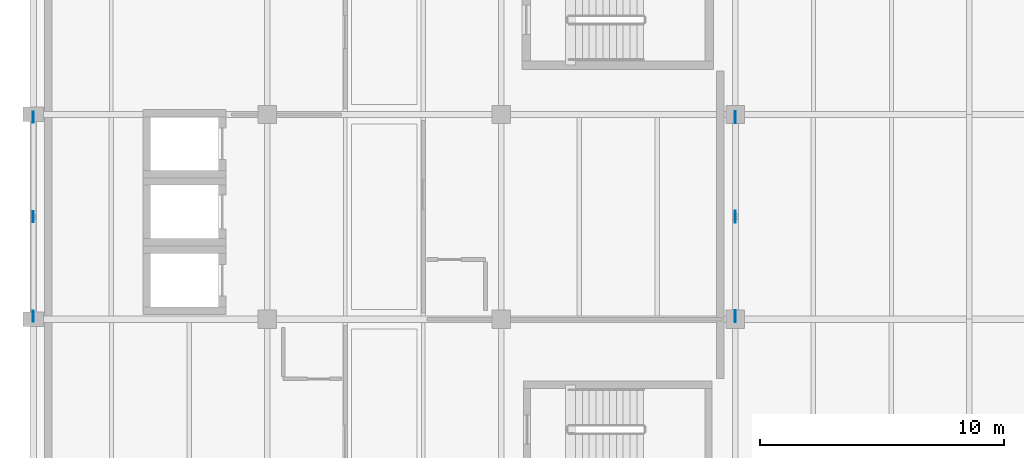
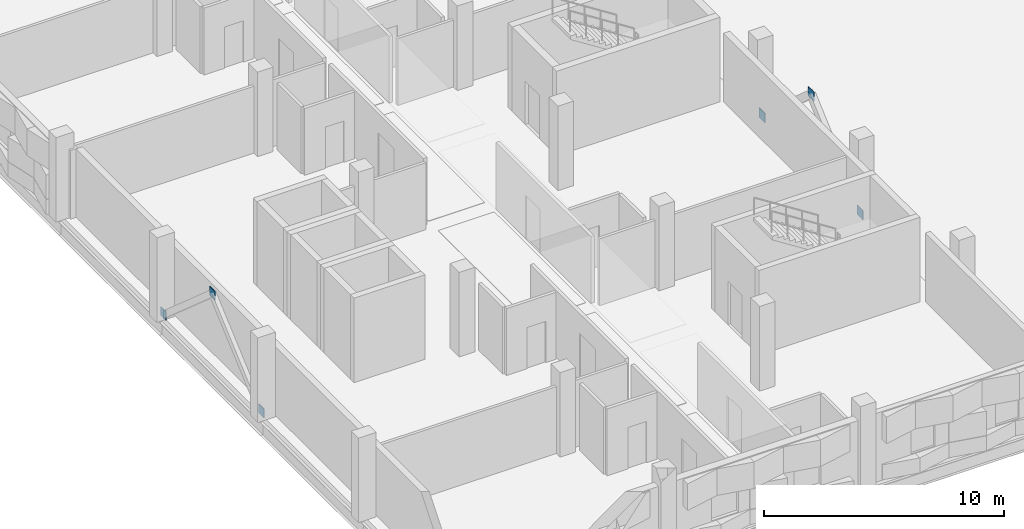
# One storey, part 47 of 86: 6 plates.
"""IFC4 building model written with IfcOpenShell, lengths in metres."""

from ifc_helpers import new_model, si_unit, direction, frame, origin, origin_2d, place, context, subcontext, project, spatial, rectangle, extrude, material, layer, layer_set, type_object, element, save


model = new_model("IFC4")

# Units and contexts
model_context = context("Model", 3, precision=1e-05, world=origin(), true_north=direction((0.0, 1.0)))
body_context = subcontext(model_context, "Body", "Model", "MODEL_VIEW")
ifc_project = project(units=[si_unit("LENGTHUNIT", "METRE"), si_unit("AREAUNIT", "SQUARE_METRE"), si_unit("VOLUMEUNIT", "CUBIC_METRE"), si_unit("PLANEANGLEUNIT", "RADIAN"), si_unit("MASSUNIT", "GRAM", prefix="KILO")], contexts=[model_context])

# Site, building, storey
site_placement = place(None, origin())
site = spatial("IfcSite", under=ifc_project, at=site_placement, CompositionType="ELEMENT")
building_placement = place(site_placement, origin())
building = spatial("IfcBuilding", under=site, at=building_placement, Name="Oolite Switchyard Hospital", CompositionType="ELEMENT")
storey_placement = place(building_placement, frame((0.0, 0.0, 13.5)))
storey = spatial("IfcBuildingStorey", under=building, at=storey_placement, Name="L03", CompositionType="ELEMENT", Elevation=13.5)

# Plates
ifc_material = material(Name="Steel ASTM A572 Grade 50", Category="steel")
ifc_layer_1 = layer(ifc_material, 0.030029296875)
ifc_layer_set_1 = layer_set([ifc_layer_1], Name="PLT-GUS-450")
plate_type_1 = type_object("IfcPlateType", Name="PLT-GUS-450", PredefinedType="SHEET", material=ifc_layer_set_1)
for number, where, z_axis, x_axis, name in (
    (1, (0.0, 50.52001953125, -0.02490234375), (0.0, 0.0, 1.0), (0.0, 1.0, 0.0), "L03 Brace Base Gusset Plate 10"),
    (2, (0.0, 58.679931640625, -0.02490234375), (0.0, 0.0, 1.0), (0.0, 1.0, 0.0), "L03 Brace Base Gusset Plate 11"),
    (3, (0.0, 54.60009765625, 3.47509765625), (0.0, 0.0, 1.0), (0.0, 1.0, 0.0), "L03 Gusset Connection Plate 12"),
):
    element("IfcPlate", number, at=place(storey_placement, frame(where, z_axis=z_axis, x_axis=x_axis)), inside=storey, type_object=plate_type_1, Name=name, PredefinedType="SHEET", context=body_context, shape_type="SweptSolid", body=[
        extrude(rectangle(XDim=0.449951171875, YDim=0.030029296875, at=origin_2d()), origin(), (0.0, 0.0, 1.0), 0.449951171875),
    ])
ifc_layer_2 = layer(ifc_material, 0.031982421875)
ifc_layer_set_2 = layer_set([ifc_layer_2], Name="PLT-GUS-480")
plate_type_2 = type_object("IfcPlateType", Name="PLT-GUS-480", PredefinedType="SHEET", material=ifc_layer_set_2)
for number, where, z_axis, x_axis, name in (
    (4, (28.800048828125, 50.52001953125, -0.0400390625), (0.0, 0.0, 1.0), (0.0, 1.0, 0.0), "L03 Brace Base Gusset Plate 31"),
    (5, (28.800048828125, 58.679931640625, -0.0400390625), (0.0, 0.0, 1.0), (0.0, 1.0, 0.0), "L03 Brace Base Gusset Plate 32"),
    (6, (28.800048828125, 54.60009765625, 3.510009765625), (0.0, 0.0, 1.0), (0.0, 1.0, 0.0), "L03 Gusset Connection Plate 33"),
):
    element("IfcPlate", number, at=place(storey_placement, frame(where, z_axis=z_axis, x_axis=x_axis)), inside=storey, type_object=plate_type_2, Name=name, PredefinedType="SHEET", context=body_context, shape_type="SweptSolid", body=[
        extrude(rectangle(XDim=0.47998046875, YDim=0.031982421875, at=origin_2d()), origin(), (0.0, 0.0, 1.0), 0.47998046875),
    ])

save(model, "model.ifc")
